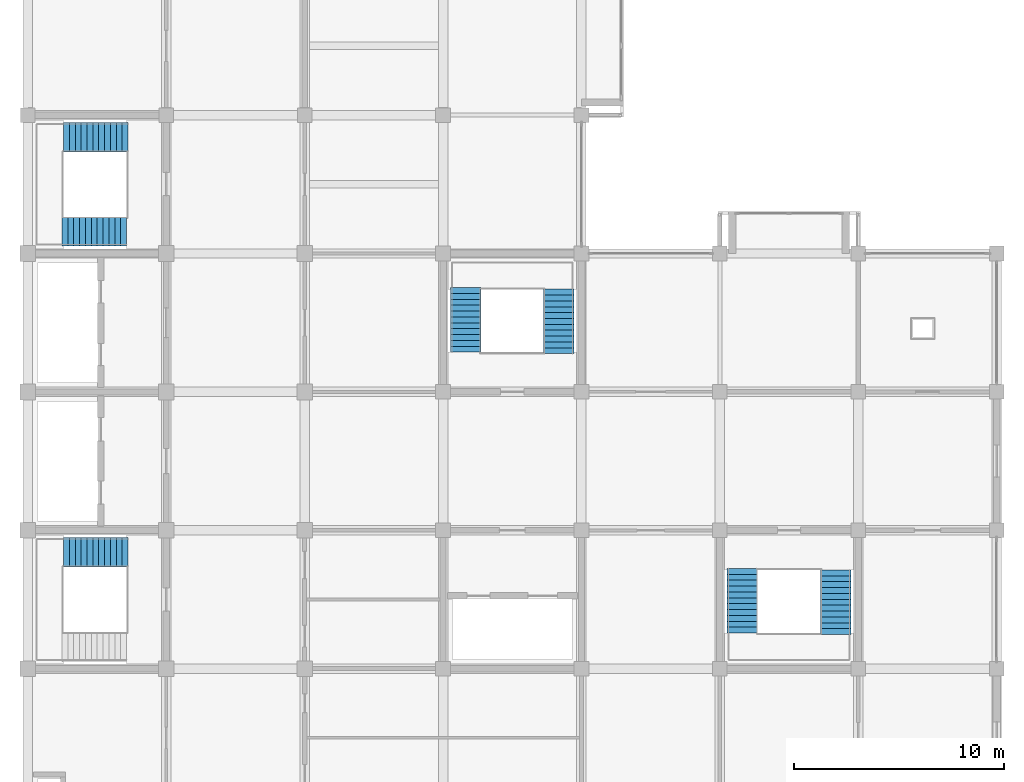
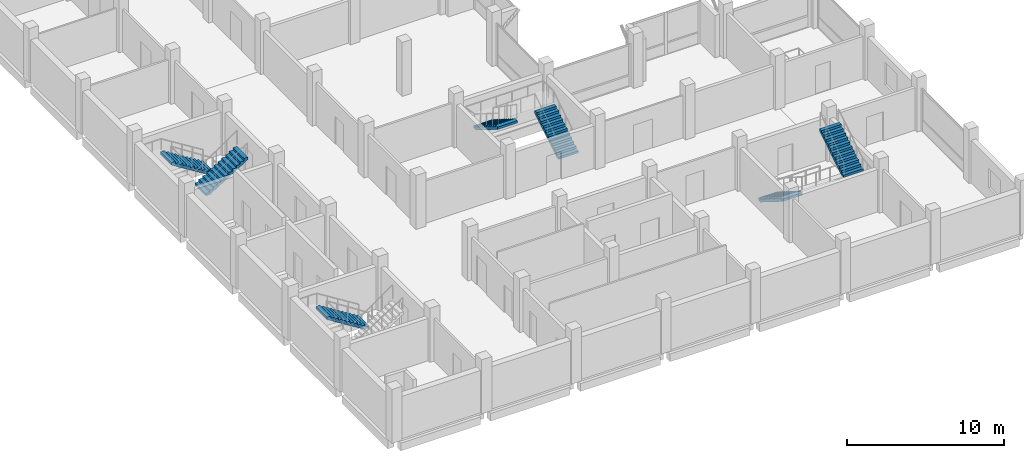
# One storey, part 10 of 11: 7 stair flights, 4 elements without a shape of their own.
"""IFC4 building model written with IfcOpenShell, lengths in metres."""

from ifc_helpers import new_model, si_unit, direction, frame, origin, place, context, subcontext, project, spatial, polyline, outline, extrude, material, type_object, element, aggregate, save


model = new_model("IFC4")

# Units and contexts
model_context = context("Model", 3, precision=1e-05, world=origin(), true_north=direction((0.0, 1.0)))
body_context = subcontext(model_context, "Body", "Model", "MODEL_VIEW")
ifc_project = project(units=[si_unit("LENGTHUNIT", "METRE"), si_unit("AREAUNIT", "SQUARE_METRE"), si_unit("VOLUMEUNIT", "CUBIC_METRE"), si_unit("PLANEANGLEUNIT", "RADIAN"), si_unit("MASSUNIT", "GRAM", prefix="KILO")], contexts=[model_context])

# Site, building, storey
site_placement = place(None, origin())
site = spatial("IfcSite", under=ifc_project, at=site_placement, CompositionType="ELEMENT")
building_placement = place(site_placement, origin())
building = spatial("IfcBuilding", under=site, at=building_placement, Name="Rusizi Kubbe Research Institute", CompositionType="ELEMENT")
storey_placement = place(building_placement, frame((0.0, 0.0, 39.60009765625)))
storey = spatial("IfcBuildingStorey", under=building, at=storey_placement, Name="L09", CompositionType="ELEMENT", Elevation=39.60009765625)

# Stair, stair flight
ifc_material_1 = material(Name="Concrete C40/50", Category="concrete")
stair_type_1 = type_object("IfcStairType", Name="ST-H420A", PredefinedType="HALF_TURN_STAIR", material=ifc_material_1)
stair_1_placement = place(storey_placement, origin())
stair_1 = element("IfcStair", 1, at=stair_1_placement, inside=storey, type_object=stair_type_1, Name="Protected Exit Stair ST1 (L09)", PredefinedType="HALF_TURN_STAIR")
ifc_material_2 = material(Name="Concrete C40/50", Category="concrete")
stair_flight_type_1 = type_object("IfcStairFlightType", Name="FL-H420A", PredefinedType="STRAIGHT", material=ifc_material_2)
stair_flight_1_placement = place(storey_placement, frame((4.780029296875, 12.14990234375, 0.0), z_axis=(0.0, 0.0, 1.0), x_axis=(-1.0, 0.0, 0.0)))
stair_flight_1 = element("IfcStairFlight", 2, at=stair_flight_1_placement, type_object=stair_flight_type_1, Name="ST1 flight 1", NumberOfRisers=12, NumberOfTreads=11, PredefinedType="STRAIGHT", RiserHeight=0.175, TreadLength=0.28, context=body_context, shape_type="SweptSolid", body=[
    extrude(outline(polyline([(0.0, 0.0), (0.0, 0.175048828125), (0.280029296875, 0.175048828125), (0.280029296875, 0.35009765625), (0.56005859375, 0.35009765625), (0.56005859375, 0.52490234375), (0.840087890625, 0.52490234375), (0.840087890625, 0.699951171875), (1.1201171875, 0.699951171875), (1.1201171875, 0.875), (1.39990234375, 0.875), (1.39990234375, 1.050048828125), (1.679931640625, 1.050048828125), (1.679931640625, 1.22509765625), (1.9599609375, 1.22509765625), (1.9599609375, 1.39990234375), (2.239990234375, 1.39990234375), (2.239990234375, 1.574951171875), (2.52001953125, 1.574951171875), (2.52001953125, 1.75), (2.800048828125, 1.75), (2.800048828125, 1.925048828125), (3.080078125, 1.925048828125), (3.080078125, 2.10009765625), (3.080078125, 1.736328125), (0.3017578125, 0.0), (0.0, 0.0)])), frame((0.0, 0.699951171875, 0.0), z_axis=(0.0, -1.0, 0.0), x_axis=(1.0, 0.0, 0.0)), (0.0, 0.0, 1.0), 1.39990234375),
])
aggregate(stair_1, [stair_flight_1])

# Stair, stair flights
stair_2_placement = place(storey_placement, origin())
stair_2 = element("IfcStair", 3, at=stair_2_placement, inside=storey, type_object=stair_type_1, Name="Protected Exit Stair ST2 (L09)", PredefinedType="HALF_TURN_STAIR")
stair_flight_2_placement = place(storey_placement, frame((4.780029296875, 31.949951171875, 0.0), z_axis=(0.0, 0.0, 1.0), x_axis=(-1.0, 0.0, 0.0)))
stair_flight_2 = element("IfcStairFlight", 4, at=stair_flight_2_placement, type_object=stair_flight_type_1, Name="ST2 flight 1", NumberOfRisers=12, NumberOfTreads=11, PredefinedType="STRAIGHT", RiserHeight=0.175, TreadLength=0.28, context=body_context, shape_type="SweptSolid", body=[
    extrude(outline(polyline([(0.0, 0.0), (0.0, 0.175048828125), (0.280029296875, 0.175048828125), (0.280029296875, 0.35009765625), (0.56005859375, 0.35009765625), (0.56005859375, 0.52490234375), (0.840087890625, 0.52490234375), (0.840087890625, 0.699951171875), (1.1201171875, 0.699951171875), (1.1201171875, 0.875), (1.39990234375, 0.875), (1.39990234375, 1.050048828125), (1.679931640625, 1.050048828125), (1.679931640625, 1.22509765625), (1.9599609375, 1.22509765625), (1.9599609375, 1.39990234375), (2.239990234375, 1.39990234375), (2.239990234375, 1.574951171875), (2.52001953125, 1.574951171875), (2.52001953125, 1.75), (2.800048828125, 1.75), (2.800048828125, 1.925048828125), (3.080078125, 1.925048828125), (3.080078125, 2.10009765625), (3.080078125, 1.736328125), (0.3017578125, 0.0), (0.0, 0.0)])), frame((0.0, 0.699951171875, 0.0), z_axis=(0.0, -1.0, 0.0), x_axis=(1.0, 0.0, 0.0)), (0.0, 0.0, 1.0), 1.39990234375),
])
stair_flight_3_placement = place(storey_placement, frame((1.6259765625, 27.449951171875, 2.099853515625), z_axis=(0.0, 0.0, 1.0), x_axis=(1.0, 0.0, 0.0)))
stair_flight_3 = element("IfcStairFlight", 5, at=stair_flight_3_placement, type_object=stair_flight_type_1, Name="ST2 flight 2", NumberOfRisers=12, NumberOfTreads=11, PredefinedType="STRAIGHT", RiserHeight=0.175, TreadLength=0.28, context=body_context, shape_type="SweptSolid", body=[
    extrude(outline(polyline([(0.0, 0.0), (0.0, 0.175048828125), (0.280029296875, 0.175048828125), (0.280029296875, 0.35009765625), (0.56005859375, 0.35009765625), (0.56005859375, 0.52490234375), (0.840087890625, 0.52490234375), (0.840087890625, 0.699951171875), (1.1201171875, 0.699951171875), (1.1201171875, 0.875), (1.39990234375, 0.875), (1.39990234375, 1.050048828125), (1.679931640625, 1.050048828125), (1.679931640625, 1.22509765625), (1.9599609375, 1.22509765625), (1.9599609375, 1.39990234375), (2.239990234375, 1.39990234375), (2.239990234375, 1.574951171875), (2.52001953125, 1.574951171875), (2.52001953125, 1.75), (2.800048828125, 1.75), (2.800048828125, 1.925048828125), (3.080078125, 1.925048828125), (3.080078125, 2.10009765625), (3.080078125, 1.736328125), (0.3017578125, 0.0), (0.0, 0.0)])), frame((0.0, 0.699951171875, 0.0), z_axis=(0.0, -1.0, 0.0), x_axis=(1.0, 0.0, 0.0)), (0.0, 0.0, 1.0), 1.39990234375),
])
aggregate(stair_2, [stair_flight_2, stair_flight_3])

ifc_material_3 = material(Name="Concrete C40/50", Category="concrete")
stair_type_2 = type_object("IfcStairType", Name="ST-H420B", PredefinedType="HALF_TURN_STAIR", material=ifc_material_3)
stair_3_placement = place(storey_placement, origin())
stair_3 = element("IfcStair", 6, at=stair_3_placement, inside=storey, type_object=stair_type_2, Name="Protected Exit Stair ST3 (L09)", PredefinedType="HALF_TURN_STAIR")
ifc_material_4 = material(Name="Concrete C40/50", Category="concrete")
stair_flight_type_2 = type_object("IfcStairFlightType", Name="FL-H420B", PredefinedType="STRAIGHT", material=ifc_material_4)
stair_flight_4_placement = place(storey_placement, frame((25.324951171875, 21.6201171875, 0.0), z_axis=(0.0, 0.0, 1.0), x_axis=(0.0, 1.0, 0.0)))
stair_flight_4 = element("IfcStairFlight", 7, at=stair_flight_4_placement, type_object=stair_flight_type_2, Name="ST3 flight 1", NumberOfRisers=12, NumberOfTreads=11, PredefinedType="STRAIGHT", RiserHeight=0.175, TreadLength=0.28, context=body_context, shape_type="SweptSolid", body=[
    extrude(outline(polyline([(0.0, 0.0), (0.0, 0.175048828125), (0.280029296875, 0.175048828125), (0.280029296875, 0.35009765625), (0.56005859375, 0.35009765625), (0.56005859375, 0.52490234375), (0.840087890625, 0.52490234375), (0.840087890625, 0.699951171875), (1.1201171875, 0.699951171875), (1.1201171875, 0.875), (1.39990234375, 0.875), (1.39990234375, 1.050048828125), (1.679931640625, 1.050048828125), (1.679931640625, 1.22509765625), (1.9599609375, 1.22509765625), (1.9599609375, 1.39990234375), (2.239990234375, 1.39990234375), (2.239990234375, 1.574951171875), (2.52001953125, 1.574951171875), (2.52001953125, 1.75), (2.800048828125, 1.75), (2.800048828125, 1.925048828125), (3.080078125, 1.925048828125), (3.080078125, 2.10009765625), (3.080078125, 1.736328125), (0.3017578125, 0.0), (0.0, 0.0)])), frame((0.0, 0.72509765625, 0.0), z_axis=(0.0, -1.0, 0.0), x_axis=(1.0, 0.0, 0.0)), (0.0, 0.0, 1.0), 1.449951171875),
])
stair_flight_5_placement = place(storey_placement, frame((20.875, 24.77392578125, 2.099853515625), z_axis=(0.0, 0.0, 1.0), x_axis=(0.0, -1.0, 0.0)))
stair_flight_5 = element("IfcStairFlight", 8, at=stair_flight_5_placement, type_object=stair_flight_type_2, Name="ST3 flight 2", NumberOfRisers=12, NumberOfTreads=11, PredefinedType="STRAIGHT", RiserHeight=0.175, TreadLength=0.28, context=body_context, shape_type="SweptSolid", body=[
    extrude(outline(polyline([(0.0, 0.0), (0.0, 0.175048828125), (0.280029296875, 0.175048828125), (0.280029296875, 0.35009765625), (0.56005859375, 0.35009765625), (0.56005859375, 0.52490234375), (0.840087890625, 0.52490234375), (0.840087890625, 0.699951171875), (1.1201171875, 0.699951171875), (1.1201171875, 0.875), (1.39990234375, 0.875), (1.39990234375, 1.050048828125), (1.679931640625, 1.050048828125), (1.679931640625, 1.22509765625), (1.9599609375, 1.22509765625), (1.9599609375, 1.39990234375), (2.239990234375, 1.39990234375), (2.239990234375, 1.574951171875), (2.52001953125, 1.574951171875), (2.52001953125, 1.75), (2.800048828125, 1.75), (2.800048828125, 1.925048828125), (3.080078125, 1.925048828125), (3.080078125, 2.10009765625), (3.080078125, 1.736328125), (0.3017578125, 0.0), (0.0, 0.0)])), frame((0.0, 0.72509765625, 0.0), z_axis=(0.0, -1.0, 0.0), x_axis=(1.0, 0.0, 0.0)), (0.0, 0.0, 1.0), 1.449951171875),
])
aggregate(stair_3, [stair_flight_4, stair_flight_5])

stair_4_placement = place(storey_placement, origin())
stair_4 = element("IfcStair", 9, at=stair_4_placement, inside=storey, type_object=stair_type_2, Name="Protected Exit Stair ST4 (L09)", PredefinedType="HALF_TURN_STAIR")
stair_flight_6_placement = place(storey_placement, frame((34.074951171875, 11.3798828125, 0.0), z_axis=(0.0, 0.0, 1.0), x_axis=(0.0, -1.0, 0.0)))
stair_flight_6 = element("IfcStairFlight", 10, at=stair_flight_6_placement, type_object=stair_flight_type_2, Name="ST4 flight 1", NumberOfRisers=12, NumberOfTreads=11, PredefinedType="STRAIGHT", RiserHeight=0.175, TreadLength=0.28, context=body_context, shape_type="SweptSolid", body=[
    extrude(outline(polyline([(0.0, 0.0), (0.0, 0.175048828125), (0.280029296875, 0.175048828125), (0.280029296875, 0.35009765625), (0.56005859375, 0.35009765625), (0.56005859375, 0.52490234375), (0.840087890625, 0.52490234375), (0.840087890625, 0.699951171875), (1.1201171875, 0.699951171875), (1.1201171875, 0.875), (1.39990234375, 0.875), (1.39990234375, 1.050048828125), (1.679931640625, 1.050048828125), (1.679931640625, 1.22509765625), (1.9599609375, 1.22509765625), (1.9599609375, 1.39990234375), (2.239990234375, 1.39990234375), (2.239990234375, 1.574951171875), (2.52001953125, 1.574951171875), (2.52001953125, 1.75), (2.800048828125, 1.75), (2.800048828125, 1.925048828125), (3.080078125, 1.925048828125), (3.080078125, 2.10009765625), (3.080078125, 1.736328125), (0.3017578125, 0.0), (0.0, 0.0)])), frame((0.0, 0.72509765625, 0.0), z_axis=(0.0, -1.0, 0.0), x_axis=(1.0, 0.0, 0.0)), (0.0, 0.0, 1.0), 1.449951171875),
])
stair_flight_7_placement = place(storey_placement, frame((38.52490234375, 8.22607421875, 2.099853515625), z_axis=(0.0, 0.0, 1.0), x_axis=(0.0, 1.0, 0.0)))
stair_flight_7 = element("IfcStairFlight", 11, at=stair_flight_7_placement, type_object=stair_flight_type_2, Name="ST4 flight 2", NumberOfRisers=12, NumberOfTreads=11, PredefinedType="STRAIGHT", RiserHeight=0.175, TreadLength=0.28, context=body_context, shape_type="SweptSolid", body=[
    extrude(outline(polyline([(0.0, 0.0), (0.0, 0.175048828125), (0.280029296875, 0.175048828125), (0.280029296875, 0.35009765625), (0.56005859375, 0.35009765625), (0.56005859375, 0.52490234375), (0.840087890625, 0.52490234375), (0.840087890625, 0.699951171875), (1.1201171875, 0.699951171875), (1.1201171875, 0.875), (1.39990234375, 0.875), (1.39990234375, 1.050048828125), (1.679931640625, 1.050048828125), (1.679931640625, 1.22509765625), (1.9599609375, 1.22509765625), (1.9599609375, 1.39990234375), (2.239990234375, 1.39990234375), (2.239990234375, 1.574951171875), (2.52001953125, 1.574951171875), (2.52001953125, 1.75), (2.800048828125, 1.75), (2.800048828125, 1.925048828125), (3.080078125, 1.925048828125), (3.080078125, 2.10009765625), (3.080078125, 1.736328125), (0.3017578125, 0.0), (0.0, 0.0)])), frame((0.0, 0.72509765625, 0.0), z_axis=(0.0, -1.0, 0.0), x_axis=(1.0, 0.0, 0.0)), (0.0, 0.0, 1.0), 1.449951171875),
])
aggregate(stair_4, [stair_flight_6, stair_flight_7])

save(model, "model.ifc")
